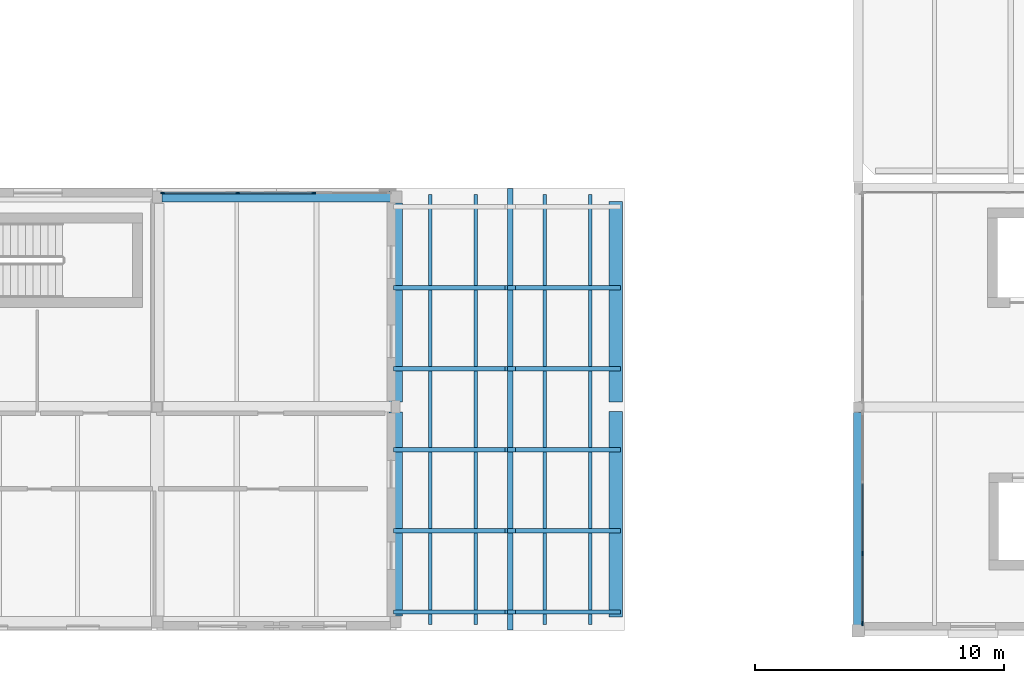
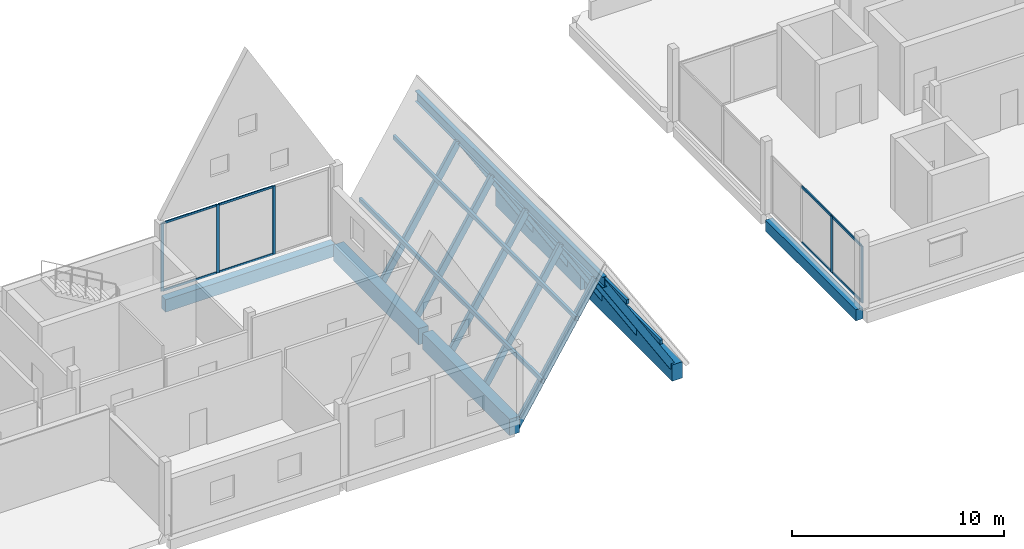
# One storey, part 6 of 23: 27 members, 7 beams, 2 elements without a shape of their own.
"""IFC4 building model written with IfcOpenShell, lengths in metres."""

from ifc_helpers import new_model, si_unit, direction, frame, origin, origin_2d, place, context, subcontext, project, spatial, rectangle, i_section, extrude, material, layer, layer_set, material_profile, profile_set, type_object, element, aggregate, save


model = new_model("IFC4")

# Units and contexts
model_context = context("Model", 3, precision=1e-05, world=origin(), true_north=direction((0.0, 1.0)))
body_context = subcontext(model_context, "Body", "Model", "MODEL_VIEW")
ifc_project = project(units=[si_unit("LENGTHUNIT", "METRE"), si_unit("AREAUNIT", "SQUARE_METRE"), si_unit("VOLUMEUNIT", "CUBIC_METRE"), si_unit("PLANEANGLEUNIT", "RADIAN"), si_unit("MASSUNIT", "GRAM", prefix="KILO")], contexts=[model_context])

# Site, building, storey
site_placement = place(None, origin())
site = spatial("IfcSite", under=ifc_project, at=site_placement, CompositionType="ELEMENT")
building_placement = place(site_placement, origin())
building = spatial("IfcBuilding", under=site, at=building_placement, Name="Birchvale Park Specialist Clinic", CompositionType="ELEMENT")
storey_placement = place(building_placement, frame((0.0, 0.0, 18.0)))
storey = spatial("IfcBuildingStorey", under=building, at=storey_placement, Name="L04", CompositionType="ELEMENT", Elevation=18.0)

# Beams
ifc_material_1 = material(Name="Concrete C40/50", Category="concrete")
ifc_material_profile_1 = material_profile(ifc_material_1, rectangle(XDim=0.419921875, YDim=0.719970703125, at=origin_2d()), Name="RCB-420x720")
ifc_profile_set_1 = profile_set([ifc_material_profile_1], Name="Concrete C40/50")
beam_type_1 = type_object("IfcBeamType", Name="BM-EXT-BG3", PredefinedType="BEAM", material=ifc_profile_set_1)
beam_1_placement = place(storey_placement, frame((99.985107421875, 34.25, -0.639892578125), z_axis=(1.0, 0.0, 0.0), x_axis=(0.0, 1.0, 0.0)))
element("IfcBeam", 1, at=beam_1_placement, inside=storey, type_object=beam_type_1, Name="V4 L04 X girder 14", PredefinedType="BEAM", context=body_context, shape_type="SweptSolid", body=[
    extrude(rectangle(XDim=0.419921875, YDim=0.719970703125, at=origin_2d()), origin(), (0.0, 0.0, 1.0), 9.22998046875),
])
ifc_material_profile_2 = material_profile(ifc_material_1, rectangle(XDim=0.3798828125, YDim=0.639892578125, at=origin_2d()), Name="RCB-380x640")
ifc_profile_set_2 = profile_set([ifc_material_profile_2], Name="Concrete C40/50")
beam_type_2 = type_object("IfcBeamType", Name="BM-EXT-BG5", PredefinedType="BEAM", material=ifc_profile_set_2)
beam_2_placement = place(storey_placement, frame((128.0, 17.02490234375, -0.60009765625), z_axis=(0.0, 1.0, 0.0), x_axis=(-1.0, 0.0, 0.0)))
element("IfcBeam", 2, at=beam_2_placement, inside=storey, type_object=beam_type_2, Name="V5 L04 Y girder 13", PredefinedType="BEAM", context=body_context, shape_type="SweptSolid", body=[
    extrude(rectangle(XDim=0.3798828125, YDim=0.639892578125, at=origin_2d()), origin(), (0.0, 0.0, 1.0), 8.550048828125),
])
ifc_material_profile_3 = material_profile(ifc_material_1, rectangle(XDim=0.550048828125, YDim=0.93994140625, at=origin_2d()), Name="RCB-550x940")
ifc_profile_set_3 = profile_set([ifc_material_profile_3], Name="Concrete C40/50")
beam_type_3 = type_object("IfcBeamType", Name="BM-EXT-RB1", PredefinedType="BEAM", material=ifc_profile_set_3)
beam_3_placement = place(storey_placement, frame((109.39990234375, 17.389892578125, -0.75), z_axis=(0.0, 1.0, 0.0), x_axis=(-1.0, 0.0, 0.0)))
element("IfcBeam", 3, at=beam_3_placement, inside=storey, type_object=beam_type_3, Name="V4 L04 Y girder 25", PredefinedType="BEAM", context=body_context, shape_type="SweptSolid", body=[
    extrude(rectangle(XDim=0.550048828125, YDim=0.93994140625, at=origin_2d()), origin(), (0.0, 0.0, 1.0), 8.210205078125),
])
beam_4_placement = place(storey_placement, frame((109.39990234375, 26.0, -0.75), z_axis=(0.0, 1.0, 0.0), x_axis=(-1.0, 0.0, 0.0)))
element("IfcBeam", 4, at=beam_4_placement, inside=storey, type_object=beam_type_3, Name="V4 L04 Y girder 26", PredefinedType="BEAM", context=body_context, shape_type="SweptSolid", body=[
    extrude(rectangle(XDim=0.550048828125, YDim=0.93994140625, at=origin_2d()), origin(), (0.0, 0.0, 1.0), 8.010009765625),
])
beam_5_placement = place(storey_placement, frame((118.25, 17.340087890625, -0.679931640625), z_axis=(0.0, 1.0, 0.0), x_axis=(-1.0, 0.0, 0.0)))
element("IfcBeam", 5, at=beam_5_placement, inside=storey, type_object=beam_type_3, Name="L04 gable eave girder 118", PredefinedType="BEAM", context=body_context, shape_type="SweptSolid", body=[
    extrude(rectangle(XDim=0.550048828125, YDim=0.93994140625, at=origin_2d()), origin(), (0.0, 0.0, 1.0), 8.27001953125),
])
beam_6_placement = place(storey_placement, frame((118.25, 25.989990234375, -0.679931640625), z_axis=(0.0, 1.0, 0.0), x_axis=(-1.0, 0.0, 0.0)))
element("IfcBeam", 6, at=beam_6_placement, inside=storey, type_object=beam_type_3, Name="L04 gable eave girder 118", PredefinedType="BEAM", context=body_context, shape_type="SweptSolid", body=[
    extrude(rectangle(XDim=0.550048828125, YDim=0.93994140625, at=origin_2d()), origin(), (0.0, 0.0, 1.0), 8.070068359375),
])

# Curtain wall, members
ifc_material_2 = material(Name="Thermally broken anodised aluminium", Category="aluminium")
ifc_layer_1 = layer(ifc_material_2, 0.179931640625)
ifc_layer_set_1 = layer_set([ifc_layer_1], Name="Thermally broken anodised aluminium")
curtain_wall_type_1 = type_object("IfcCurtainWallType", Name="CW-U1", PredefinedType="USERDEFINED", material=ifc_layer_set_1)
curtain_wall_1_placement = place(storey_placement, origin())
curtain_wall_1 = element("IfcCurtainWall", 7, at=curtain_wall_1_placement, inside=storey, type_object=curtain_wall_type_1, Name="V4 L04 glazed curtain wall 139", ObjectType="UNITISED", PredefinedType="USERDEFINED")
ifc_material_profile_4 = material_profile(ifc_material_2, rectangle(XDim=0.06005859375, YDim=0.159912109375, at=origin_2d()), Name="CWM-60x160")
ifc_profile_set_4 = profile_set([ifc_material_profile_4], Name="Thermally broken anodised aluminium")
member_type_1 = type_object("IfcMemberType", Name="CWM1", PredefinedType="MULLION", material=ifc_profile_set_4)
member_1_placement = place(storey_placement, frame((106.1015625, 34.409912109375, 0.0), z_axis=(0.0, 0.0, 1.0), x_axis=(0.0, -1.0, 0.0)))
member_1 = element("IfcMember", 8, at=member_1_placement, type_object=member_type_1, Name="CW mullion 2", PredefinedType="MULLION", context=body_context, shape_type="SweptSolid", body=[
    extrude(rectangle(XDim=0.06005859375, YDim=0.159912109375, at=origin_2d()), origin(), (0.0, 0.0, 1.0), 3.93994140625),
])
member_2_placement = place(storey_placement, frame((103.043212890625, 34.409912109375, 0.0), z_axis=(0.0, 0.0, 1.0), x_axis=(0.0, -1.0, 0.0)))
member_2 = element("IfcMember", 9, at=member_2_placement, type_object=member_type_1, Name="CW mullion 3", PredefinedType="MULLION", context=body_context, shape_type="SweptSolid", body=[
    extrude(rectangle(XDim=0.06005859375, YDim=0.159912109375, at=origin_2d()), origin(), (0.0, 0.0, 1.0), 3.93994140625),
])
member_3_placement = place(storey_placement, frame((100.014892578125, 34.409912109375, 0.0), z_axis=(0.0, 0.0, 1.0), x_axis=(0.0, -1.0, 0.0)))
member_3 = element("IfcMember", 10, at=member_3_placement, type_object=member_type_1, Name="CW mullion 4", PredefinedType="MULLION", context=body_context, shape_type="SweptSolid", body=[
    extrude(rectangle(XDim=0.06005859375, YDim=0.159912109375, at=origin_2d()), origin(), (0.0, 0.0, 1.0), 3.93994140625),
])

ifc_layer_2 = layer(ifc_material_2, 0.195068359375)
ifc_layer_set_2 = layer_set([ifc_layer_2], Name="Thermally broken anodised aluminium")
curtain_wall_type_2 = type_object("IfcCurtainWallType", Name="CW-U2", PredefinedType="USERDEFINED", material=ifc_layer_set_2)
curtain_wall_2_placement = place(storey_placement, origin())
curtain_wall_2 = element("IfcCurtainWall", 11, at=curtain_wall_2_placement, inside=storey, type_object=curtain_wall_type_2, Name="V5 L04 glazed curtain wall 144", ObjectType="UNITISED", PredefinedType="USERDEFINED")
ifc_material_profile_5 = material_profile(ifc_material_2, rectangle(XDim=0.06494140625, YDim=0.179931640625, at=origin_2d()), Name="CWM-65x180")
ifc_profile_set_5 = profile_set([ifc_material_profile_5], Name="Thermally broken anodised aluminium")
member_type_2 = type_object("IfcMemberType", Name="CWM2", PredefinedType="MULLION", material=ifc_profile_set_5)
member_4_placement = place(storey_placement, frame((128.175048828125, 19.89990234375, 0.0), z_axis=(0.0, 0.0, 1.0), x_axis=(1.0, 0.0, 0.0)))
member_4 = element("IfcMember", 12, at=member_4_placement, type_object=member_type_2, Name="CW mullion 3", PredefinedType="MULLION", context=body_context, shape_type="SweptSolid", body=[
    extrude(rectangle(XDim=0.06494140625, YDim=0.179931640625, at=origin_2d()), origin(), (0.0, 0.0, 1.0), 3.27001953125),
])
member_5_placement = place(storey_placement, frame((128.175048828125, 17.08251953125, 0.0), z_axis=(0.0, 0.0, 1.0), x_axis=(1.0, 0.0, 0.0)))
member_5 = element("IfcMember", 13, at=member_5_placement, type_object=member_type_2, Name="CW mullion 4", PredefinedType="MULLION", context=body_context, shape_type="SweptSolid", body=[
    extrude(rectangle(XDim=0.06494140625, YDim=0.179931640625, at=origin_2d()), origin(), (0.0, 0.0, 1.0), 3.27001953125),
])

# Member
ifc_material_profile_6 = material_profile(ifc_material_2, rectangle(XDim=0.06005859375, YDim=0.1201171875, at=origin_2d()), Name="CWT-60x120")
ifc_profile_set_6 = profile_set([ifc_material_profile_6], Name="Thermally broken anodised aluminium")
member_type_3 = type_object("IfcMemberType", Name="CWT1", PredefinedType="USERDEFINED", material=ifc_profile_set_6)
member_6_placement = place(storey_placement, frame((106.07177734375, 34.409912109375, 0.030029296875), z_axis=(-1.0, 0.0, 0.0), x_axis=(0.0, -1.0, 0.0)))
member_6 = element("IfcMember", 14, at=member_6_placement, type_object=member_type_3, Name="CW transom 2.1", ObjectType="TRANSOM", PredefinedType="USERDEFINED", context=body_context, shape_type="SweptSolid", body=[
    extrude(rectangle(XDim=0.06005859375, YDim=0.1201171875, at=origin_2d()), origin(), (0.0, 0.0, 1.0), 2.99853515625),
])

member_7_placement = place(storey_placement, frame((106.07177734375, 34.409912109375, 3.909912109375), z_axis=(-1.0, 0.0, 0.0), x_axis=(0.0, -1.0, 0.0)))
member_7 = element("IfcMember", 15, at=member_7_placement, type_object=member_type_3, Name="CW transom 2.2", ObjectType="TRANSOM", PredefinedType="USERDEFINED", context=body_context, shape_type="SweptSolid", body=[
    extrude(rectangle(XDim=0.06005859375, YDim=0.1201171875, at=origin_2d()), origin(), (0.0, 0.0, 1.0), 2.99853515625),
])

member_8_placement = place(storey_placement, frame((103.013427734375, 34.409912109375, 0.030029296875), z_axis=(-1.0, 0.0, 0.0), x_axis=(0.0, -1.0, 0.0)))
member_8 = element("IfcMember", 16, at=member_8_placement, type_object=member_type_3, Name="CW transom 3.1", ObjectType="TRANSOM", PredefinedType="USERDEFINED", context=body_context, shape_type="SweptSolid", body=[
    extrude(rectangle(XDim=0.06005859375, YDim=0.1201171875, at=origin_2d()), origin(), (0.0, 0.0, 1.0), 2.968505859375),
])

member_9_placement = place(storey_placement, frame((103.013427734375, 34.409912109375, 3.909912109375), z_axis=(-1.0, 0.0, 0.0), x_axis=(0.0, -1.0, 0.0)))
member_9 = element("IfcMember", 17, at=member_9_placement, type_object=member_type_3, Name="CW transom 3.2", ObjectType="TRANSOM", PredefinedType="USERDEFINED", context=body_context, shape_type="SweptSolid", body=[
    extrude(rectangle(XDim=0.06005859375, YDim=0.1201171875, at=origin_2d()), origin(), (0.0, 0.0, 1.0), 2.968505859375),
])

aggregate(curtain_wall_1, [member_1, member_2, member_3, member_6, member_7, member_8, member_9])

ifc_material_profile_7 = material_profile(ifc_material_2, rectangle(XDim=0.06494140625, YDim=0.139892578125, at=origin_2d()), Name="CWT-65x140")
ifc_profile_set_7 = profile_set([ifc_material_profile_7], Name="Thermally broken anodised aluminium")
member_type_4 = type_object("IfcMemberType", Name="CWT2", PredefinedType="USERDEFINED", material=ifc_profile_set_7)
member_10_placement = place(storey_placement, frame((128.175048828125, 22.717529296875, 0.032470703125), z_axis=(0.0, -1.0, 0.0), x_axis=(1.0, 0.0, 0.0)))
member_10 = element("IfcMember", 18, at=member_10_placement, type_object=member_type_4, Name="CW transom 2.1", ObjectType="TRANSOM", PredefinedType="USERDEFINED", context=body_context, shape_type="SweptSolid", body=[
    extrude(rectangle(XDim=0.06494140625, YDim=0.139892578125, at=origin_2d()), origin(), (0.0, 0.0, 1.0), 2.784912109375),
])

member_11_placement = place(storey_placement, frame((128.175048828125, 22.717529296875, 3.237548828125), z_axis=(0.0, -1.0, 0.0), x_axis=(1.0, 0.0, 0.0)))
member_11 = element("IfcMember", 19, at=member_11_placement, type_object=member_type_4, Name="CW transom 2.2", ObjectType="TRANSOM", PredefinedType="USERDEFINED", context=body_context, shape_type="SweptSolid", body=[
    extrude(rectangle(XDim=0.06494140625, YDim=0.139892578125, at=origin_2d()), origin(), (0.0, 0.0, 1.0), 2.784912109375),
])

member_12_placement = place(storey_placement, frame((128.175048828125, 19.867431640625, 0.032470703125), z_axis=(0.0, -1.0, 0.0), x_axis=(1.0, 0.0, 0.0)))
member_12 = element("IfcMember", 20, at=member_12_placement, type_object=member_type_4, Name="CW transom 3.1", ObjectType="TRANSOM", PredefinedType="USERDEFINED", context=body_context, shape_type="SweptSolid", body=[
    extrude(rectangle(XDim=0.06494140625, YDim=0.139892578125, at=origin_2d()), origin(), (0.0, 0.0, 1.0), 2.75244140625),
])

member_13_placement = place(storey_placement, frame((128.175048828125, 19.867431640625, 3.237548828125), z_axis=(0.0, -1.0, 0.0), x_axis=(1.0, 0.0, 0.0)))
member_13 = element("IfcMember", 21, at=member_13_placement, type_object=member_type_4, Name="CW transom 3.2", ObjectType="TRANSOM", PredefinedType="USERDEFINED", context=body_context, shape_type="SweptSolid", body=[
    extrude(rectangle(XDim=0.06494140625, YDim=0.139892578125, at=origin_2d()), origin(), (0.0, 0.0, 1.0), 2.75244140625),
])

aggregate(curtain_wall_2, [member_4, member_5, member_10, member_11, member_12, member_13])

# Members
ifc_material_3 = material(Name="Glulam GL28h", Category="wood")
ifc_material_profile_8 = material_profile(ifc_material_3, rectangle(XDim=0.139892578125, YDim=0.239990234375, at=origin_2d()), Name="GL-140x240")
ifc_profile_set_8 = profile_set([ifc_material_profile_8], Name="Glulam GL28h")
member_type_5 = type_object("IfcMemberType", Name="MEM-GP1", PredefinedType="PURLIN", material=ifc_profile_set_8)
for number, where, z_axis, x_axis, name in (
    (22, (110.780029296875, 17.050048828125, 1.556884765625), (0.0, 1.0, 0.0), (-1.0, 0.0, 0.0), "L04 glulam roof purlin V4-B7 W.1"),
    (23, (112.6201171875, 17.050048828125, 4.51708984375), (0.0, 1.0, 0.0), (-1.0, 0.0, 0.0), "L04 glulam roof purlin V4-B7 W.2"),
    (24, (115.3798828125, 17.050048828125, 4.51708984375), (0.0, 1.0, 0.0), (-1.0, 0.0, 0.0), "L04 glulam roof purlin V4-B7 E.1"),
    (25, (117.219970703125, 17.050048828125, 1.556884765625), (0.0, 1.0, 0.0), (-1.0, 0.0, 0.0), "L04 glulam roof purlin V4-B7 E.2"),
):
    element("IfcMember", number, at=place(storey_placement, frame(where, z_axis=z_axis, x_axis=x_axis)), inside=storey, type_object=member_type_5, Name=name, PredefinedType="PURLIN", context=body_context, shape_type="SweptSolid", body=[
        extrude(rectangle(XDim=0.139892578125, YDim=0.239990234375, at=origin_2d()), origin(), (0.0, 0.0, 1.0), 17.300048828125),
    ])
ifc_material_profile_9 = material_profile(ifc_material_3, rectangle(XDim=0.179931640625, YDim=0.360107421875, at=origin_2d()), Name="GL-180x360")
ifc_profile_set_9 = profile_set([ifc_material_profile_9], Name="Glulam GL28h")
member_type_6 = type_object("IfcMemberType", Name="MEM-GR1", PredefinedType="RAFTER", material=ifc_profile_set_9)
for number, where, z_axis, x_axis, name in (
    (26, (109.449951171875, 17.550048828125, -1.15087890625), (0.527927420898, 0.0, 0.849289490259), (0.0, 1.0, 0.0), "L04 glulam roof rafter V4-B7 W.1"),
    (27, (109.449951171875, 20.81005859375, -1.15087890625), (0.527927420898, 0.0, 0.849289490259), (0.0, 1.0, 0.0), "L04 glulam roof rafter V4-B7 W.2"),
    (28, (109.449951171875, 24.070068359375, -1.15087890625), (0.527927420898, 0.0, 0.849289490259), (0.0, 1.0, 0.0), "L04 glulam roof rafter V4-B7 W.3"),
    (29, (109.449951171875, 27.330078125, -1.15087890625), (0.527927420898, 0.0, 0.849289490259), (0.0, 1.0, 0.0), "L04 glulam roof rafter V4-B7 W.4"),
    (30, (109.449951171875, 30.590087890625, -1.15087890625), (0.527927420898, 0.0, 0.849289490259), (0.0, 1.0, 0.0), "L04 glulam roof rafter V4-B7 W.5"),
):
    element("IfcMember", number, at=place(storey_placement, frame(where, z_axis=z_axis, x_axis=x_axis)), inside=storey, type_object=member_type_6, Name=name, PredefinedType="RAFTER", context=body_context, shape_type="SweptSolid", body=[
        extrude(rectangle(XDim=0.179931640625, YDim=0.360107421875, at=origin_2d()), origin(), (0.0, 0.0, 1.0), 8.52392578125),
    ])
for number, where, z_axis, x_axis, name in (
    (31, (114.050048828125, 17.550048828125, 6.08837890625), (0.527937685149, 0.0, -0.849283109805), (0.0, 1.0, 0.0), "L04 glulam roof rafter V4-B7 E.1"),
    (32, (114.050048828125, 20.81005859375, 6.08837890625), (0.527937685149, 0.0, -0.849283109805), (0.0, 1.0, 0.0), "L04 glulam roof rafter V4-B7 E.2"),
    (33, (114.050048828125, 24.070068359375, 6.08837890625), (0.527937685149, 0.0, -0.849283109805), (0.0, 1.0, 0.0), "L04 glulam roof rafter V4-B7 E.3"),
    (34, (114.050048828125, 27.330078125, 6.08837890625), (0.527937685149, 0.0, -0.849283109805), (0.0, 1.0, 0.0), "L04 glulam roof rafter V4-B7 E.4"),
    (35, (114.050048828125, 30.590087890625, 6.08837890625), (0.527937685149, 0.0, -0.849283109805), (0.0, 1.0, 0.0), "L04 glulam roof rafter V4-B7 E.5"),
):
    element("IfcMember", number, at=place(storey_placement, frame(where, z_axis=z_axis, x_axis=x_axis)), inside=storey, type_object=member_type_6, Name=name, PredefinedType="RAFTER", context=body_context, shape_type="SweptSolid", body=[
        extrude(rectangle(XDim=0.179931640625, YDim=0.360107421875, at=origin_2d()), origin(), (0.0, 0.0, 1.0), 8.01220703125),
    ])

# Beam
ifc_material_4 = material(Name="Steel ASTM A992 Grade 50", Category="steel")
ifc_material_profile_10 = material_profile(ifc_material_4, i_section(OverallWidth=0.22900390625, OverallDepth=0.612060546875, WebThickness=0.011962890625, FlangeThickness=0.01953125, at=origin_2d()), Name="W24X84")
ifc_profile_set_10 = profile_set([ifc_material_profile_10], Name="Steel ASTM A992 Grade 50")
beam_type_4 = type_object("IfcBeamType", Name="STL-EXT-SB2", PredefinedType="BEAM", material=ifc_profile_set_10)
beam_7_placement = place(storey_placement, frame((114.0, 16.820068359375, 6.283935546875), z_axis=(0.0, 1.0, 0.0), x_axis=(-1.0, 0.0, 0.0)))
element("IfcBeam", 36, at=beam_7_placement, inside=storey, type_object=beam_type_4, Name="L04 gable ridge beam V4-B7", PredefinedType="BEAM", context=body_context, shape_type="SweptSolid", body=[
    extrude(i_section(OverallWidth=0.22900390625, OverallDepth=0.612060546875, WebThickness=0.011962890625, FlangeThickness=0.01953125, at=origin_2d()), origin(), (0.0, 0.0, 1.0), 17.760009765625),
])

save(model, "model.ifc")
